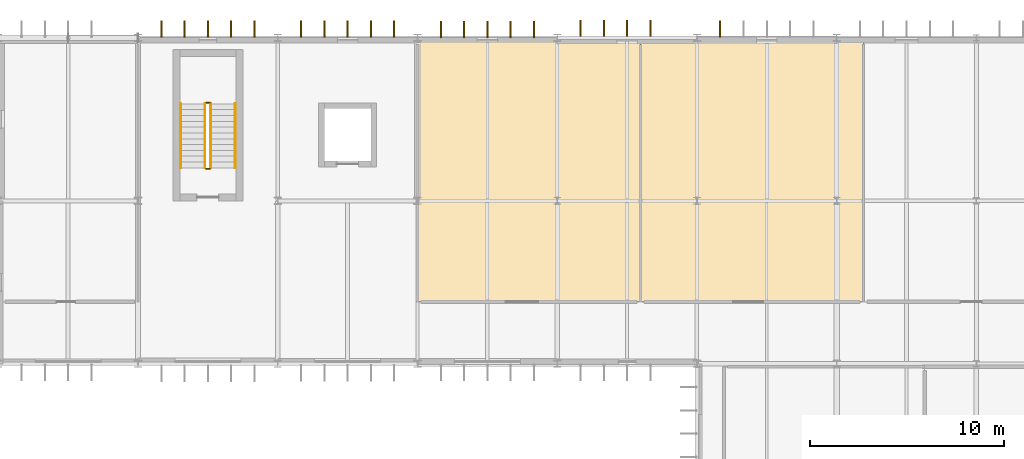
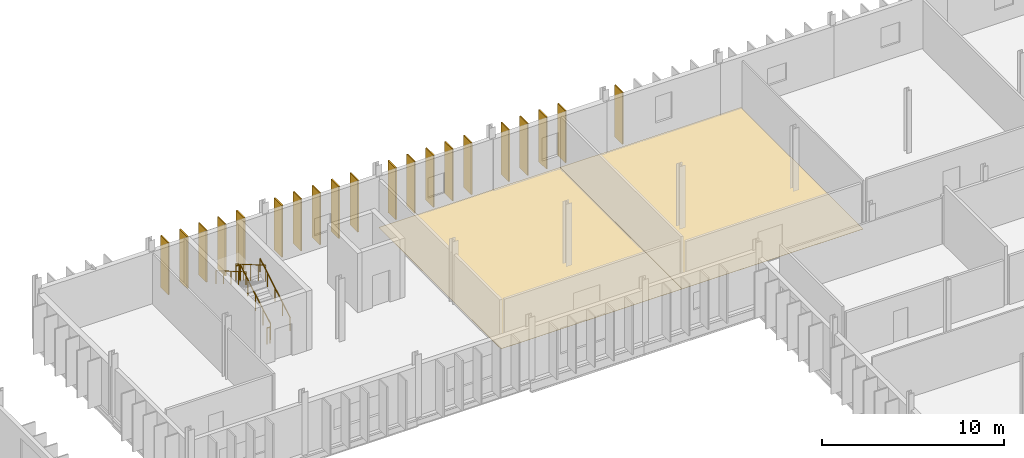
# One storey, part 115 of 119: 20 shading devices, 6 railings, 2 coverings.
"""IFC4 building model written with IfcOpenShell, lengths in metres."""

from ifc_helpers import new_model, si_unit, direction, frame, origin, origin_2d, place, context, subcontext, project, spatial, polyline, rectangle, circle, outline, extrude, material, layer, layer_set, type_object, element, save


model = new_model("IFC4")

# Units and contexts
model_context = context("Model", 3, precision=1e-05, world=origin(), true_north=direction((0.0, 1.0)))
body_context = subcontext(model_context, "Body", "Model", "MODEL_VIEW")
ifc_project = project(units=[si_unit("LENGTHUNIT", "METRE"), si_unit("AREAUNIT", "SQUARE_METRE"), si_unit("VOLUMEUNIT", "CUBIC_METRE"), si_unit("PLANEANGLEUNIT", "RADIAN"), si_unit("MASSUNIT", "GRAM", prefix="KILO")], contexts=[model_context])

# Site, building, storey
site_placement = place(None, origin())
site = spatial("IfcSite", under=ifc_project, at=site_placement, CompositionType="ELEMENT")
building_placement = place(site_placement, origin())
building = spatial("IfcBuilding", under=site, at=building_placement, Name="Qelthora Terrace Specialist Clinic", CompositionType="ELEMENT")
storey_placement = place(building_placement, frame((0.0, 0.0, 4.800048828125)))
storey = spatial("IfcBuildingStorey", under=building, at=storey_placement, Name="L01", CompositionType="ELEMENT", Elevation=4.800048828125)

# Coverings
ifc_material_1 = material(Name="Antimicrobial clinical linoleum flooring", Category="other")
ifc_layer = layer(ifc_material_1, 0.011962890625)
ifc_layer_set = layer_set([ifc_layer], Name="Antimicrobial clinical linoleum flooring")
covering_type = type_object("IfcCoveringType", Name="COV-FLR-LINO-12", PredefinedType="FLOORING", material=ifc_layer_set)
covering_1_placement = place(storey_placement, origin())
element("IfcCovering", 1, at=covering_1_placement, inside=storey, type_object=covering_type, Name="Clinical Simulation Training Lab L01-61 resilient linoleum flooring", PredefinedType="FLOORING", context=body_context, shape_type="SweptSolid", body=[
    extrude(outline(polyline([(79.199951171875, 95.60009765625), (79.199951171875, 109.050048828125), (90.68994140625, 109.050048828125), (90.68994140625, 95.60009765625), (79.199951171875, 95.60009765625)])), origin(), (0.0, 0.0, 1.0), 0.011962890625),
])
covering_2_placement = place(storey_placement, origin())
element("IfcCovering", 2, at=covering_2_placement, inside=storey, type_object=covering_type, Name="Academic Seminar Classroom L01-62 resilient linoleum flooring", PredefinedType="FLOORING", context=body_context, shape_type="SweptSolid", body=[
    extrude(outline(polyline([(90.695068359375, 95.60009765625), (90.695068359375, 109.050048828125), (102.179931640625, 109.050048828125), (102.179931640625, 95.60009765625), (90.695068359375, 95.60009765625)])), origin(), (0.0, 0.0, 1.0), 0.011962890625),
])

# Railings
ifc_material_2 = material(Name="Steel S355", Category="steel")
railing_type_1 = type_object("IfcRailingType", Name="RAL-GD-1100-S355", PredefinedType="GUARDRAIL", material=ifc_material_2)
railing_1_placement = place(storey_placement, frame((68.550048828125, 102.5, 0.175048828125)))
element("IfcRailing", 3, at=railing_1_placement, inside=storey, type_object=railing_type_1, Name="L01 ST-07 stair guard 1", PredefinedType="GUARDRAIL", context=body_context, shape_type="SweptSolid", body=[
    extrude(circle(Radius=0.02392578125, at=origin_2d()), frame((0.0, 0.0, 1.076171875), z_axis=(0.0, 0.863804395585, 0.503827317807), x_axis=(-1.0, 0.0, 0.0)), (0.0, 0.0, 1.0), 3.8203125),
    extrude(circle(Radius=0.02099609375, at=origin_2d()), origin(), (0.0, 0.0, 1.0), 1.052001953125),
    extrude(circle(Radius=0.02099609375, at=origin_2d()), frame((0.0, 0.824951171875, 0.481201171875)), (0.0, 0.0, 1.0), 1.052001953125),
    extrude(circle(Radius=0.02099609375, at=origin_2d()), frame((0.0, 1.64990234375, 0.96240234375)), (0.0, 0.0, 1.0), 1.052001953125),
    extrude(circle(Radius=0.02099609375, at=origin_2d()), frame((0.0, 2.47509765625, 1.443603515625)), (0.0, 0.0, 1.0), 1.052001953125),
    extrude(circle(Radius=0.02099609375, at=origin_2d()), frame((0.0, 3.300048828125, 1.9248046875)), (0.0, 0.0, 1.0), 1.052001953125),
])
railing_2_placement = place(storey_placement, frame((68.5, 105.85009765625, 2.099853515625)))
element("IfcRailing", 4, at=railing_2_placement, inside=storey, type_object=railing_type_1, Name="L01 ST-07 stair guard 2", PredefinedType="GUARDRAIL", context=body_context, shape_type="SweptSolid", body=[
    extrude(circle(Radius=0.02392578125, at=origin_2d()), frame((0.0, 0.0, 1.076171875), z_axis=(-1.0, 0.0, 0.0), x_axis=(0.0, -1.0, 0.0)), (0.0, 0.0, 1.0), 0.199951171875),
    extrude(circle(Radius=0.02099609375, at=origin_2d()), origin(), (0.0, 0.0, 1.0), 1.052001953125),
    extrude(circle(Radius=0.02099609375, at=origin_2d()), frame((-0.199951171875, 0.0, 0.0)), (0.0, 0.0, 1.0), 1.052001953125),
])
railing_3_placement = place(storey_placement, frame((68.25, 105.800048828125, 2.27490234375)))
element("IfcRailing", 5, at=railing_3_placement, inside=storey, type_object=railing_type_1, Name="L01 ST-07 stair guard 3", PredefinedType="GUARDRAIL", context=body_context, shape_type="SweptSolid", body=[
    extrude(circle(Radius=0.02392578125, at=origin_2d()), frame((0.0, 0.0, 1.076171875), z_axis=(0.0, -0.863776583165, 0.503874998761), x_axis=(1.0, 0.0, 0.0)), (0.0, 0.0, 1.0), 3.820556640625),
    extrude(circle(Radius=0.02099609375, at=origin_2d()), origin(), (0.0, 0.0, 1.0), 1.052001953125),
    extrude(circle(Radius=0.02099609375, at=origin_2d()), frame((0.0, -0.824951171875, 0.481201171875)), (0.0, 0.0, 1.0), 1.052001953125),
    extrude(circle(Radius=0.02099609375, at=origin_2d()), frame((0.0, -1.64990234375, 0.96240234375)), (0.0, 0.0, 1.0), 1.052001953125),
    extrude(circle(Radius=0.02099609375, at=origin_2d()), frame((0.0, -2.47509765625, 1.44384765625)), (0.0, 0.0, 1.0), 1.052001953125),
    extrude(circle(Radius=0.02099609375, at=origin_2d()), frame((0.0, -3.300048828125, 1.925048828125)), (0.0, 0.0, 1.0), 1.052001953125),
])
railing_4_placement = place(storey_placement, frame((68.5, 102.449951171875, 0.0)))
element("IfcRailing", 6, at=railing_4_placement, inside=storey, type_object=railing_type_1, Name="L01 ST-07 stair guard 4", PredefinedType="GUARDRAIL", context=body_context, shape_type="SweptSolid", body=[
    extrude(circle(Radius=0.02392578125, at=origin_2d()), frame((0.0, 0.0, 1.076171875), z_axis=(-1.0, 0.0, 0.0), x_axis=(0.0, -1.0, 0.0)), (0.0, 0.0, 1.0), 0.199951171875),
    extrude(circle(Radius=0.02099609375, at=origin_2d()), origin(), (0.0, 0.0, 1.0), 1.052001953125),
    extrude(circle(Radius=0.02099609375, at=origin_2d()), frame((-0.199951171875, 0.0, 0.0)), (0.0, 0.0, 1.0), 1.052001953125),
])
railing_type_2 = type_object("IfcRailingType", Name="RAL-HR-900-S355", PredefinedType="HANDRAIL", material=ifc_material_2)
railing_5_placement = place(storey_placement, frame((69.800048828125, 102.5, 0.367919921875)))
element("IfcRailing", 7, at=railing_5_placement, inside=storey, type_object=railing_type_2, Name="L01 ST-07 stair handrail 1", PredefinedType="HANDRAIL", context=body_context, shape_type="SweptSolid", body=[
    extrude(circle(Radius=0.02392578125, at=origin_2d()), frame((0.0, 0.0, 0.8759765625), z_axis=(0.0, 0.863776583165, 0.503874998761), x_axis=(-1.0, 0.0, 0.0)), (0.0, 0.0, 1.0), 3.820556640625),
    extrude(circle(Radius=0.02099609375, at=origin_2d()), origin(), (0.0, 0.0, 1.0), 0.851806640625),
    extrude(circle(Radius=0.02099609375, at=origin_2d()), frame((0.0, 0.824951171875, 0.481201171875)), (0.0, 0.0, 1.0), 0.851806640625),
    extrude(circle(Radius=0.02099609375, at=origin_2d()), frame((0.0, 1.64990234375, 0.96240234375)), (0.0, 0.0, 1.0), 0.851806640625),
    extrude(circle(Radius=0.02099609375, at=origin_2d()), frame((0.0, 2.47509765625, 1.44384765625)), (0.0, 0.0, 1.0), 0.851806640625),
    extrude(circle(Radius=0.02099609375, at=origin_2d()), frame((0.0, 3.300048828125, 1.925048828125)), (0.0, 0.0, 1.0), 0.851806640625),
])
railing_6_placement = place(storey_placement, frame((67.0, 105.800048828125, 2.468017578125)))
element("IfcRailing", 8, at=railing_6_placement, inside=storey, type_object=railing_type_2, Name="L01 ST-07 stair handrail 2", PredefinedType="HANDRAIL", context=body_context, shape_type="SweptSolid", body=[
    extrude(circle(Radius=0.02392578125, at=origin_2d()), frame((0.0, 0.0, 0.8759765625), z_axis=(0.0, -0.863776583165, 0.503874998761), x_axis=(1.0, 0.0, 0.0)), (0.0, 0.0, 1.0), 3.820556640625),
    extrude(circle(Radius=0.02099609375, at=origin_2d()), origin(), (0.0, 0.0, 1.0), 0.851806640625),
    extrude(circle(Radius=0.02099609375, at=origin_2d()), frame((0.0, -0.824951171875, 0.481201171875)), (0.0, 0.0, 1.0), 0.851806640625),
    extrude(circle(Radius=0.02099609375, at=origin_2d()), frame((0.0, -1.64990234375, 0.96240234375)), (0.0, 0.0, 1.0), 0.851806640625),
    extrude(circle(Radius=0.02099609375, at=origin_2d()), frame((0.0, -2.47509765625, 1.44384765625)), (0.0, 0.0, 1.0), 0.851806640625),
    extrude(circle(Radius=0.02099609375, at=origin_2d()), frame((0.0, -3.300048828125, 1.925048828125)), (0.0, 0.0, 1.0), 0.851806640625),
])

# Shading devices
ifc_material_3 = material(Name="Glulam timber GL28h", Category="wood")
shading_device_type = type_object("IfcShadingDeviceType", Name="SHD-FIN-850", PredefinedType="USERDEFINED", material=ifc_material_3)
for number, where, z_axis, x_axis, name in (
    (9, (66.0, 109.655029296875, 0.0), (0.0, 0.0, 1.0), (0.0, 1.0, 0.0), "Exterior solar shading fin FIN-0820"),
    (10, (67.199951171875, 109.655029296875, 0.0), (0.0, 0.0, 1.0), (0.0, 1.0, 0.0), "Exterior solar shading fin FIN-0821"),
    (11, (68.39990234375, 109.655029296875, 0.0), (0.0, 0.0, 1.0), (0.0, 1.0, 0.0), "Exterior solar shading fin FIN-0822"),
    (12, (69.60009765625, 109.655029296875, 0.0), (0.0, 0.0, 1.0), (0.0, 1.0, 0.0), "Exterior solar shading fin FIN-0823"),
    (13, (70.800048828125, 109.655029296875, 0.0), (0.0, 0.0, 1.0), (0.0, 1.0, 0.0), "Exterior solar shading fin FIN-0824"),
    (14, (73.199951171875, 109.64501953125, 0.0), (0.0, 0.0, 1.0), (0.0, 1.0, 0.0), "Exterior solar shading fin FIN-0825"),
    (15, (74.39990234375, 109.64501953125, 0.0), (0.0, 0.0, 1.0), (0.0, 1.0, 0.0), "Exterior solar shading fin FIN-0826"),
    (16, (75.60009765625, 109.64501953125, 0.0), (0.0, 0.0, 1.0), (0.0, 1.0, 0.0), "Exterior solar shading fin FIN-0827"),
    (17, (76.800048828125, 109.64501953125, 0.0), (0.0, 0.0, 1.0), (0.0, 1.0, 0.0), "Exterior solar shading fin FIN-0828"),
    (18, (78.0, 109.64501953125, 0.0), (0.0, 0.0, 1.0), (0.0, 1.0, 0.0), "Exterior solar shading fin FIN-0829"),
    (19, (80.39990234375, 109.635009765625, 0.0), (0.0, 0.0, 1.0), (0.0, 1.0, 0.0), "Exterior solar shading fin FIN-0830"),
    (20, (81.60009765625, 109.635009765625, 0.0), (0.0, 0.0, 1.0), (0.0, 1.0, 0.0), "Exterior solar shading fin FIN-0831"),
    (21, (82.800048828125, 109.635009765625, 0.0), (0.0, 0.0, 1.0), (0.0, 1.0, 0.0), "Exterior solar shading fin FIN-0832"),
    (22, (84.0, 109.635009765625, 0.0), (0.0, 0.0, 1.0), (0.0, 1.0, 0.0), "Exterior solar shading fin FIN-0833"),
    (23, (85.199951171875, 109.635009765625, 0.0), (0.0, 0.0, 1.0), (0.0, 1.0, 0.0), "Exterior solar shading fin FIN-0834"),
    (24, (87.60009765625, 109.695068359375, 0.0), (0.0, 0.0, 1.0), (0.0, 1.0, 0.0), "Exterior solar shading fin FIN-0835"),
    (25, (88.800048828125, 109.695068359375, 0.0), (0.0, 0.0, 1.0), (0.0, 1.0, 0.0), "Exterior solar shading fin FIN-0836"),
    (26, (90.0, 109.695068359375, 0.0), (0.0, 0.0, 1.0), (0.0, 1.0, 0.0), "Exterior solar shading fin FIN-0837"),
    (27, (91.199951171875, 109.695068359375, 0.0), (0.0, 0.0, 1.0), (0.0, 1.0, 0.0), "Exterior solar shading fin FIN-0838"),
    (28, (94.800048828125, 109.6650390625, 0.0), (0.0, 0.0, 1.0), (0.0, 1.0, 0.0), "Exterior solar shading fin FIN-0839"),
):
    element("IfcShadingDevice", number, at=place(storey_placement, frame(where, z_axis=z_axis, x_axis=x_axis)), inside=storey, type_object=shading_device_type, Name=name, ObjectType="FIN", PredefinedType="USERDEFINED", context=body_context, shape_type="SweptSolid", body=[
        extrude(rectangle(XDim=0.85009765625, YDim=0.080078125, at=origin_2d()), origin(), (0.0, 0.0, 1.0), 3.48193359375),
    ])

save(model, "model.ifc")
